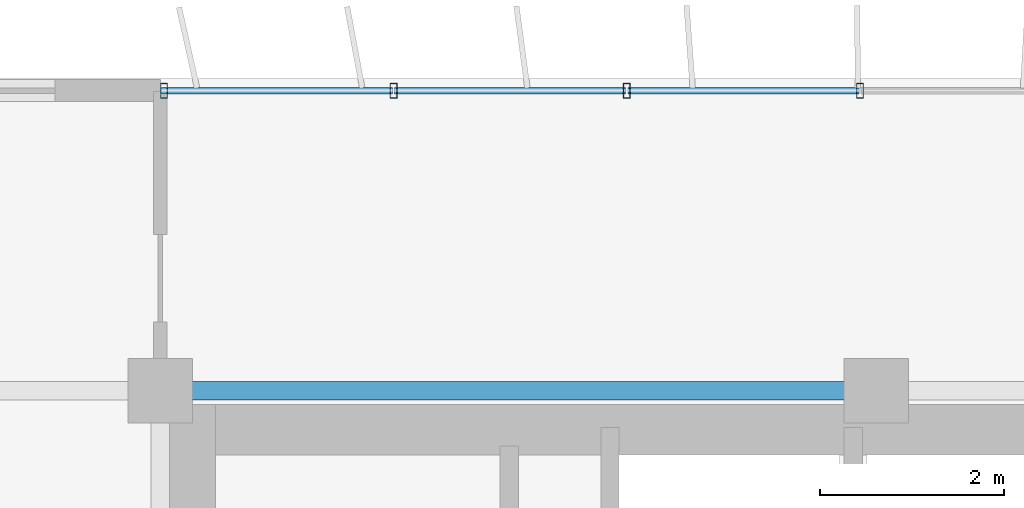
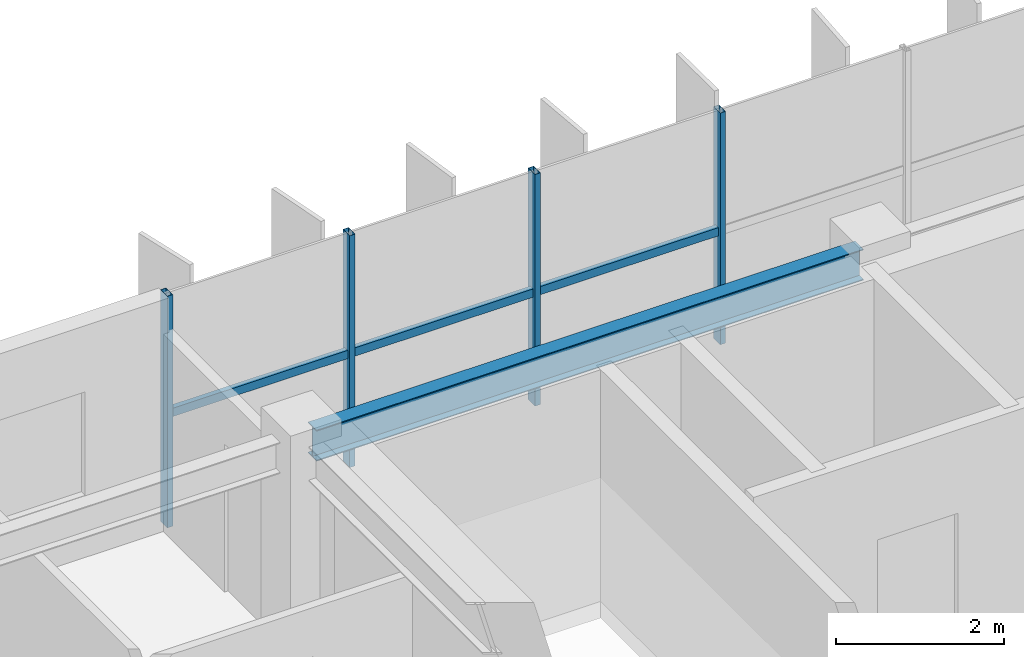
# One storey, part 6 of 23: 7 members, 1 beam, 1 element without a shape of its own.
"""IFC4 building model written with IfcOpenShell, lengths in metres."""

from ifc_helpers import new_model, si_unit, direction, frame, origin, origin_2d, place, context, subcontext, project, spatial, hollow_rectangle, i_section, extrude, source, transform, mapped, material, material_profile, profile_set, type_object, element, aggregate, save


model = new_model("IFC4")

# Units and contexts
model_context = context("Model", 3, precision=1e-05, world=origin(), true_north=direction((0.0, 1.0)))
body_context = subcontext(model_context, "Body", "Model", "MODEL_VIEW")
ifc_project = project(units=[si_unit("LENGTHUNIT", "METRE"), si_unit("AREAUNIT", "SQUARE_METRE"), si_unit("VOLUMEUNIT", "CUBIC_METRE"), si_unit("PLANEANGLEUNIT", "RADIAN"), si_unit("MASSUNIT", "GRAM", prefix="KILO")], contexts=[model_context])

# Site, building, storey
site_placement = place(None, origin())
site = spatial("IfcSite", under=ifc_project, at=site_placement, CompositionType="ELEMENT")
building_placement = place(site_placement, origin())
building = spatial("IfcBuilding", under=site, at=building_placement, Name="Trelvane Seafront Commons", CompositionType="ELEMENT")
storey_placement = place(building_placement, frame((0.0, 0.0, 219.300048828125)))
storey = spatial("IfcBuildingStorey", under=building, at=storey_placement, Name="L57", CompositionType="ELEMENT", Elevation=219.300048828125)

# Beam
ifc_material_1 = material(Name="Steel SM355 (S355)", Category="steel")
ifc_material_profile_1 = material_profile(ifc_material_1, i_section(OverallWidth=0.199951171875, OverallDepth=0.449951171875, WebThickness=0.009033203125, FlangeThickness=0.013916015625, at=origin_2d()), Name="H-450x200x9x14")
ifc_profile_set_1 = profile_set([ifc_material_profile_1], Name="Steel SM355 (S355)")
beam_type = type_object("IfcBeamType", Name="STR-SPD-H450", PredefinedType="SPANDREL", material=ifc_profile_set_1)
shared_shape_1 = source(origin(), body_context, "Body", "SweptSolid", [
    extrude(i_section(OverallWidth=0.199951171875, OverallDepth=0.449951171875, WebThickness=0.009033203125, FlangeThickness=0.013916015625, at=origin_2d()), origin(), (0.0, 0.0, 1.0), 7.5),
])
beam_placement = place(storey_placement, frame((15.75, 45.10009765625, 3.135009765625), z_axis=(1.0, 0.0, 0.0), x_axis=(0.0, 1.0, 0.0)))
element("IfcBeam", 1, at=beam_placement, inside=storey, type_object=beam_type, Name="L57 Primary Girder G-23", PredefinedType="SPANDREL", context=body_context, shape_type="MappedRepresentation", body=[
    mapped(shared_shape_1, transform((0.0, 0.0, 0.0), x_axis=(1.0, 0.0, 0.0), y_axis=(0.0, 1.0, 0.0), z_axis=(0.0, 0.0, 1.0), scale=1.0)),
])

# Curtain wall, members
ifc_material_2 = material(Name="Anodised pale-silver aluminium", Category="aluminium")
curtain_wall_type = type_object("IfcCurtainWallType", Name="ARCH-CW5-UPTOWER", PredefinedType="NOTDEFINED", material=ifc_material_2)
curtain_wall_placement = place(storey_placement, origin())
curtain_wall = element("IfcCurtainWall", 2, at=curtain_wall_placement, inside=storey, type_object=curtain_wall_type, Name="CW-L57-0100", PredefinedType="NOTDEFINED")
ifc_material_profile_2 = material_profile(ifc_material_2, hollow_rectangle(XDim=0.070068359375, YDim=0.1201171875, WallThickness=0.00390625, at=origin_2d()), Name="TRAN-70x120x4")
ifc_profile_set_2 = profile_set([ifc_material_profile_2], Name="Anodised pale-silver aluminium")
member_type_1 = type_object("IfcMemberType", Name="ARCH-CW-TRAN-120", PredefinedType="USERDEFINED", material=ifc_profile_set_2)
shared_shape_2 = source(origin(), body_context, "Body", "SweptSolid", [
    extrude(hollow_rectangle(XDim=0.070068359375, YDim=0.1201171875, WallThickness=0.00390625, at=origin_2d()), origin(), (0.0, 0.0, 1.0), 2.51708984375),
])
member_1_placement = place(storey_placement, frame((15.612060546875, 48.3701171875, 1.613037109375), z_axis=(1.0, 0.0, 0.0), x_axis=(0.0, 1.0, 0.0)))
member_1 = element("IfcMember", 3, at=member_1_placement, type_object=member_type_1, Name="CW-L57-0100-T00", ObjectType="TRANSOM", PredefinedType="USERDEFINED", context=body_context, shape_type="MappedRepresentation", body=[
    mapped(shared_shape_2, transform((0.0, 0.0, 0.0), x_axis=(1.0, 0.0, 0.0), y_axis=(0.0, 1.0, 0.0), z_axis=(0.0, 0.0, 1.0), scale=1.0)),
])
member_2_placement = place(storey_placement, frame((18.1533203125, 48.3701171875, 1.613037109375), z_axis=(1.0, 0.0, 0.0), x_axis=(0.0, 1.0, 0.0)))
member_2 = element("IfcMember", 4, at=member_2_placement, type_object=member_type_1, Name="CW-L57-0100-T01", ObjectType="TRANSOM", PredefinedType="USERDEFINED", context=body_context, shape_type="MappedRepresentation", body=[
    mapped(shared_shape_2, transform((0.0, 0.0, 0.0), x_axis=(1.0, 0.0, 0.0), y_axis=(0.0, 1.0, 0.0), z_axis=(0.0, 0.0, 1.0), scale=1.0)),
])
member_3_placement = place(storey_placement, frame((20.6943359375, 48.3701171875, 1.613037109375), z_axis=(1.0, 0.0, 0.0), x_axis=(0.0, 1.0, 0.0)))
member_3 = element("IfcMember", 5, at=member_3_placement, type_object=member_type_1, Name="CW-L57-0100-T02", ObjectType="TRANSOM", PredefinedType="USERDEFINED", context=body_context, shape_type="MappedRepresentation", body=[
    mapped(shared_shape_2, transform((0.0, 0.0, 0.0), x_axis=(1.0, 0.0, 0.0), y_axis=(0.0, 1.0, 0.0), z_axis=(0.0, 0.0, 1.0), scale=1.0)),
])
ifc_material_profile_3 = material_profile(ifc_material_2, hollow_rectangle(XDim=0.074951171875, YDim=0.159912109375, WallThickness=0.00390625, at=origin_2d()), Name="MULL-75x160x4")
ifc_profile_set_3 = profile_set([ifc_material_profile_3], Name="Anodised pale-silver aluminium")
member_type_2 = type_object("IfcMemberType", Name="ARCH-CW-MULL-160", PredefinedType="MULLION", material=ifc_profile_set_3)
shared_shape_3 = source(origin(), body_context, "Body", "SweptSolid", [
    extrude(hollow_rectangle(XDim=0.074951171875, YDim=0.159912109375, WallThickness=0.00390625, at=origin_2d()), origin(), (0.0, 0.0, 1.0), 3.35986328125),
])
member_4_placement = place(storey_placement, frame((15.639892578125, 48.3701171875, 0.0), z_axis=(0.0, 0.0, 1.0), x_axis=(1.0, 0.0, 0.0)))
member_4 = element("IfcMember", 6, at=member_4_placement, type_object=member_type_2, Name="CW-L57-0100-M00", PredefinedType="MULLION", context=body_context, shape_type="MappedRepresentation", body=[
    mapped(shared_shape_3, transform((0.0, 0.0, 0.0), x_axis=(1.0, 0.0, 0.0), y_axis=(0.0, 1.0, 0.0), z_axis=(0.0, 0.0, 1.0), scale=1.0)),
])
member_5_placement = place(storey_placement, frame((18.14111328125, 48.3701171875, 0.0), z_axis=(0.0, 0.0, 1.0), x_axis=(1.0, 0.0, 0.0)))
member_5 = element("IfcMember", 7, at=member_5_placement, type_object=member_type_2, Name="CW-L57-0100-M01", PredefinedType="MULLION", context=body_context, shape_type="MappedRepresentation", body=[
    mapped(shared_shape_3, transform((0.0, 0.0, 0.0), x_axis=(1.0, 0.0, 0.0), y_axis=(0.0, 1.0, 0.0), z_axis=(0.0, 0.0, 1.0), scale=1.0)),
])
member_6_placement = place(storey_placement, frame((20.682373046875, 48.3701171875, 0.0), z_axis=(0.0, 0.0, 1.0), x_axis=(1.0, 0.0, 0.0)))
member_6 = element("IfcMember", 8, at=member_6_placement, type_object=member_type_2, Name="CW-L57-0100-M02", PredefinedType="MULLION", context=body_context, shape_type="MappedRepresentation", body=[
    mapped(shared_shape_3, transform((0.0, 0.0, 0.0), x_axis=(1.0, 0.0, 0.0), y_axis=(0.0, 1.0, 0.0), z_axis=(0.0, 0.0, 1.0), scale=1.0)),
])
member_7_placement = place(storey_placement, frame((23.223388671875, 48.3701171875, 0.0), z_axis=(0.0, 0.0, 1.0), x_axis=(1.0, 0.0, 0.0)))
member_7 = element("IfcMember", 9, at=member_7_placement, type_object=member_type_2, Name="CW-L57-0100-M03", PredefinedType="MULLION", context=body_context, shape_type="MappedRepresentation", body=[
    mapped(shared_shape_3, transform((0.0, 0.0, 0.0), x_axis=(1.0, 0.0, 0.0), y_axis=(0.0, 1.0, 0.0), z_axis=(0.0, 0.0, 1.0), scale=1.0)),
])
aggregate(curtain_wall, [member_4, member_5, member_6, member_7, member_1, member_2, member_3])

save(model, "model.ifc")
